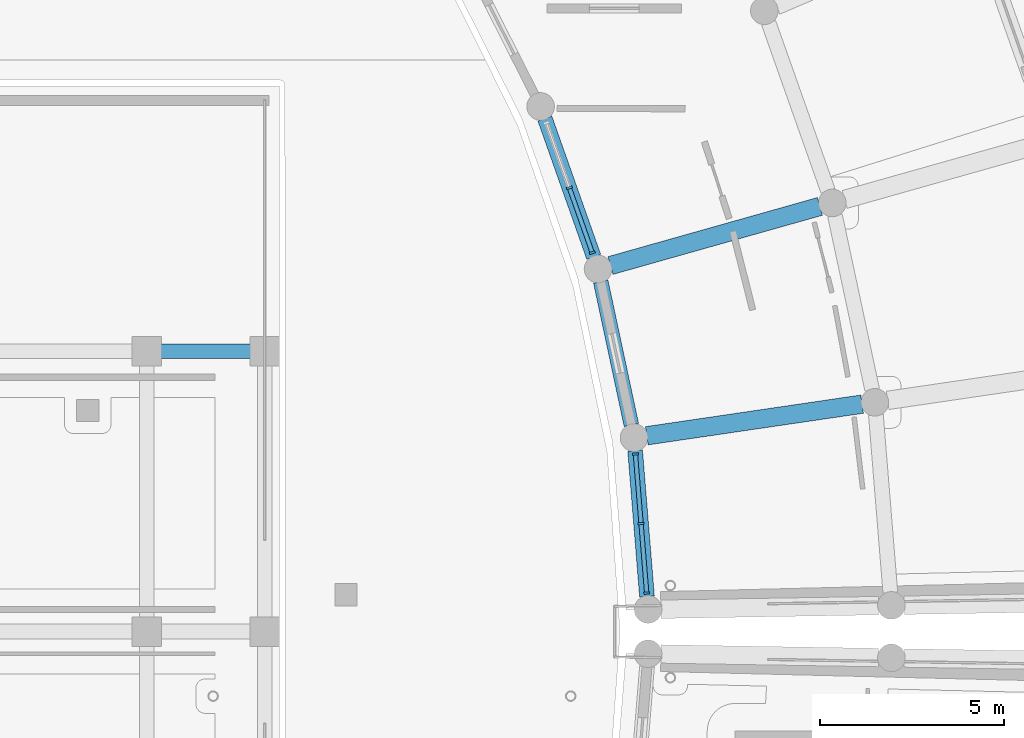
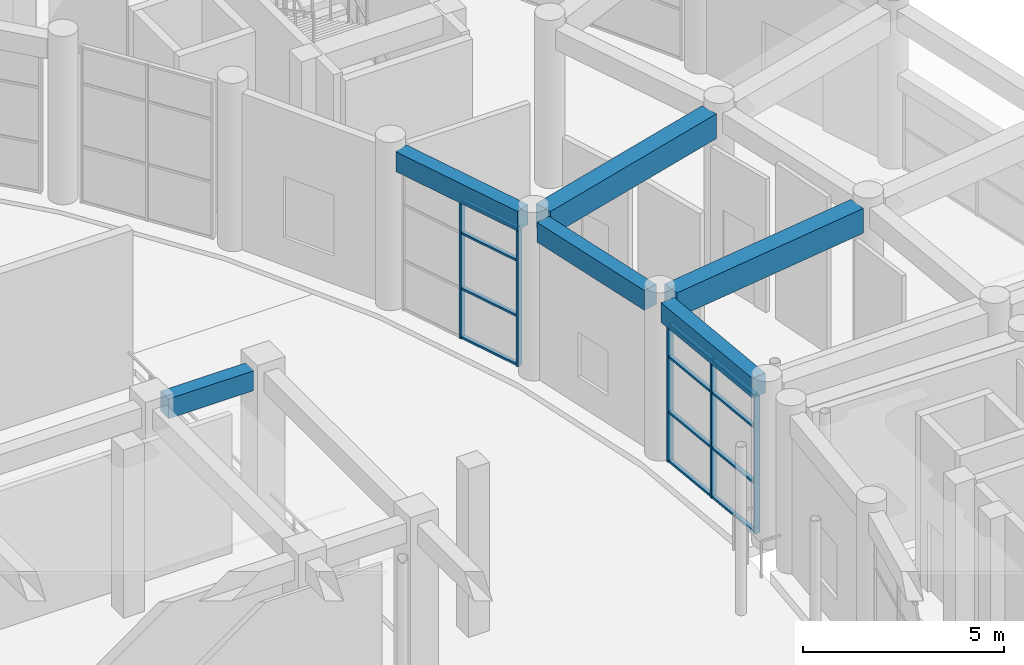
# One storey, part 44 of 99: 17 members, 6 beams, 2 elements without a shape of their own.
"""IFC4 building model written with IfcOpenShell, lengths in metres."""

from ifc_helpers import new_model, si_unit, direction, frame, origin, origin_2d, place, context, subcontext, project, spatial, rectangle, extrude, material, material_profile, profile_set, type_object, element, aggregate, save


model = new_model("IFC4")

# Units and contexts
model_context = context("Model", 3, precision=1e-05, world=origin(), true_north=direction((0.0, 1.0)))
body_context = subcontext(model_context, "Body", "Model", "MODEL_VIEW")
ifc_project = project(units=[si_unit("LENGTHUNIT", "METRE"), si_unit("AREAUNIT", "SQUARE_METRE"), si_unit("VOLUMEUNIT", "CUBIC_METRE"), si_unit("PLANEANGLEUNIT", "RADIAN"), si_unit("MASSUNIT", "GRAM", prefix="KILO")], contexts=[model_context])

# Site, building, storey
site_placement = place(None, origin())
site = spatial("IfcSite", under=ifc_project, at=site_placement, CompositionType="ELEMENT")
building_placement = place(site_placement, origin())
building = spatial("IfcBuilding", under=site, at=building_placement, Name="Saryqyr Civic Hall", CompositionType="ELEMENT")
storey_placement = place(building_placement, origin())
storey = spatial("IfcBuildingStorey", under=building, at=storey_placement, Name="L00", CompositionType="ELEMENT", Elevation=0.0)

# Curtain wall, members
ifc_material_1 = material(Name="Anodised aluminium and triple low-E glass", Category="aluminium")
curtain_wall_type = type_object("IfcCurtainWallType", Name="ENV-CW-STD-07", PredefinedType="NOTDEFINED", material=ifc_material_1)
curtain_wall_1_placement = place(storey_placement, origin())
curtain_wall_1 = element("IfcCurtainWall", 1, at=curtain_wall_1_placement, inside=storey, type_object=curtain_wall_type, Name="Curtain wall V6-CWI-L00-00", PredefinedType="NOTDEFINED")
ifc_material_2 = material(Name="Anodised aluminium", Category="aluminium")
ifc_material_profile_1 = material_profile(ifc_material_2, rectangle(XDim=0.06005859375, YDim=0.159912109375, at=origin_2d()), Name="ALU MULLION 60x160")
ifc_profile_set_1 = profile_set([ifc_material_profile_1], Name="Anodised aluminium")
member_type_1 = type_object("IfcMemberType", Name="ENV-CW-MUL-180", PredefinedType="MULLION", material=ifc_profile_set_1)
member_1_placement = place(storey_placement, frame((93.15869140625, 85.045166015625, 0.0), z_axis=(0.0, 0.0, 1.0), x_axis=(-0.081091878651, 0.996706630467, 0.0)))
member_1 = element("IfcMember", 2, at=member_1_placement, type_object=member_type_1, Name="CW-07 mullion 1", PredefinedType="MULLION", context=body_context, shape_type="SweptSolid", body=[
    extrude(rectangle(XDim=0.06005859375, YDim=0.159912109375, at=origin_2d()), origin(), (0.0, 0.0, 1.0), 4.195068359375),
])
member_2_placement = place(storey_placement, frame((93.00537109375, 86.93017578125, 0.0), z_axis=(0.0, 0.0, 1.0), x_axis=(-0.081091878651, 0.996706630467, 0.0)))
member_2 = element("IfcMember", 3, at=member_2_placement, type_object=member_type_1, Name="CW-07 mullion 2", PredefinedType="MULLION", context=body_context, shape_type="SweptSolid", body=[
    extrude(rectangle(XDim=0.06005859375, YDim=0.159912109375, at=origin_2d()), origin(), (0.0, 0.0, 1.0), 4.195068359375),
])
member_3_placement = place(storey_placement, frame((92.85205078125, 88.815185546875, 0.0), z_axis=(0.0, 0.0, 1.0), x_axis=(-0.081091878651, 0.996706630467, 0.0)))
member_3 = element("IfcMember", 4, at=member_3_placement, type_object=member_type_1, Name="CW-07 mullion 3", PredefinedType="MULLION", context=body_context, shape_type="SweptSolid", body=[
    extrude(rectangle(XDim=0.06005859375, YDim=0.159912109375, at=origin_2d()), origin(), (0.0, 0.0, 1.0), 4.195068359375),
])

curtain_wall_2_placement = place(storey_placement, origin())
curtain_wall_2 = element("IfcCurtainWall", 5, at=curtain_wall_2_placement, inside=storey, type_object=curtain_wall_type, Name="Curtain wall V6-CWI-L00-02", PredefinedType="NOTDEFINED")
member_4_placement = place(storey_placement, frame((91.6826171875, 94.275390625, 0.0), z_axis=(0.0, 0.0, 1.0), x_axis=(-0.333172944954, 0.942865732091, 0.0)))
member_4 = element("IfcMember", 6, at=member_4_placement, type_object=member_type_1, Name="CW-07 mullion 1", PredefinedType="MULLION", context=body_context, shape_type="SweptSolid", body=[
    extrude(rectangle(XDim=0.06005859375, YDim=0.159912109375, at=origin_2d()), origin(), (0.0, 0.0, 1.0), 4.195068359375),
])
member_5_placement = place(storey_placement, frame((91.060302734375, 96.036376953125, 0.0), z_axis=(0.0, 0.0, 1.0), x_axis=(-0.333172944954, 0.942865732091, 0.0)))
member_5 = element("IfcMember", 7, at=member_5_placement, type_object=member_type_1, Name="CW-07 mullion 2", PredefinedType="MULLION", context=body_context, shape_type="SweptSolid", body=[
    extrude(rectangle(XDim=0.06005859375, YDim=0.159912109375, at=origin_2d()), origin(), (0.0, 0.0, 1.0), 4.195068359375),
])

# Member
ifc_material_profile_2 = material_profile(ifc_material_2, rectangle(XDim=0.1201171875, YDim=0.06005859375, at=origin_2d()), Name="ALU TRANSOM 120x60")
ifc_profile_set_2 = profile_set([ifc_material_profile_2], Name="Anodised aluminium")
member_type_2 = type_object("IfcMemberType", Name="ENV-CW-TRN-150", PredefinedType="USERDEFINED", material=ifc_profile_set_2)
member_6_placement = place(storey_placement, frame((93.15625, 85.074951171875, 0.030029296875), z_axis=(-0.081059288806, 0.996709281435, 0.0), x_axis=(-0.996709281435, -0.081059288806, 0.0)))
member_6 = element("IfcMember", 8, at=member_6_placement, type_object=member_type_2, Name="CW-07 transom 1.1", ObjectType="TRANSOM", PredefinedType="USERDEFINED", context=body_context, shape_type="SweptSolid", body=[
    extrude(rectangle(XDim=0.1201171875, YDim=0.06005859375, at=origin_2d()), origin(), (0.0, 0.0, 1.0), 1.831298828125),
])

member_7_placement = place(storey_placement, frame((93.15625, 85.074951171875, 1.510009765625), z_axis=(-0.081059288806, 0.996709281435, 0.0), x_axis=(-0.996709281435, -0.081059288806, 0.0)))
member_7 = element("IfcMember", 9, at=member_7_placement, type_object=member_type_2, Name="CW-07 transom 1.2", ObjectType="TRANSOM", PredefinedType="USERDEFINED", context=body_context, shape_type="SweptSolid", body=[
    extrude(rectangle(XDim=0.1201171875, YDim=0.06005859375, at=origin_2d()), origin(), (0.0, 0.0, 1.0), 1.831298828125),
])

member_8_placement = place(storey_placement, frame((93.15625, 85.074951171875, 3.18798828125), z_axis=(-0.081059288806, 0.996709281435, 0.0), x_axis=(-0.996709281435, -0.081059288806, 0.0)))
member_8 = element("IfcMember", 10, at=member_8_placement, type_object=member_type_2, Name="CW-07 transom 1.3", ObjectType="TRANSOM", PredefinedType="USERDEFINED", context=body_context, shape_type="SweptSolid", body=[
    extrude(rectangle(XDim=0.1201171875, YDim=0.06005859375, at=origin_2d()), origin(), (0.0, 0.0, 1.0), 1.831298828125),
])

member_9_placement = place(storey_placement, frame((93.15625, 85.074951171875, 4.1650390625), z_axis=(-0.081059288806, 0.996709281435, 0.0), x_axis=(-0.996709281435, -0.081059288806, 0.0)))
member_9 = element("IfcMember", 11, at=member_9_placement, type_object=member_type_2, Name="CW-07 transom 1.4", ObjectType="TRANSOM", PredefinedType="USERDEFINED", context=body_context, shape_type="SweptSolid", body=[
    extrude(rectangle(XDim=0.1201171875, YDim=0.06005859375, at=origin_2d()), origin(), (0.0, 0.0, 1.0), 1.831298828125),
])

member_10_placement = place(storey_placement, frame((93.0029296875, 86.9599609375, 0.030029296875), z_axis=(-0.081048518873, 0.996710157262, 0.0), x_axis=(-0.996710157262, -0.081048518873, 0.0)))
member_10 = element("IfcMember", 12, at=member_10_placement, type_object=member_type_2, Name="CW-07 transom 2.1", ObjectType="TRANSOM", PredefinedType="USERDEFINED", context=body_context, shape_type="SweptSolid", body=[
    extrude(rectangle(XDim=0.1201171875, YDim=0.06005859375, at=origin_2d()), origin(), (0.0, 0.0, 1.0), 1.83154296875),
])

member_11_placement = place(storey_placement, frame((93.0029296875, 86.9599609375, 1.510009765625), z_axis=(-0.081048518873, 0.996710157262, 0.0), x_axis=(-0.996710157262, -0.081048518873, 0.0)))
member_11 = element("IfcMember", 13, at=member_11_placement, type_object=member_type_2, Name="CW-07 transom 2.2", ObjectType="TRANSOM", PredefinedType="USERDEFINED", context=body_context, shape_type="SweptSolid", body=[
    extrude(rectangle(XDim=0.1201171875, YDim=0.06005859375, at=origin_2d()), origin(), (0.0, 0.0, 1.0), 1.83154296875),
])

member_12_placement = place(storey_placement, frame((93.0029296875, 86.9599609375, 3.18798828125), z_axis=(-0.081048518873, 0.996710157262, 0.0), x_axis=(-0.996710157262, -0.081048518873, 0.0)))
member_12 = element("IfcMember", 14, at=member_12_placement, type_object=member_type_2, Name="CW-07 transom 2.3", ObjectType="TRANSOM", PredefinedType="USERDEFINED", context=body_context, shape_type="SweptSolid", body=[
    extrude(rectangle(XDim=0.1201171875, YDim=0.06005859375, at=origin_2d()), origin(), (0.0, 0.0, 1.0), 1.83154296875),
])

member_13_placement = place(storey_placement, frame((93.0029296875, 86.9599609375, 4.1650390625), z_axis=(-0.081048518873, 0.996710157262, 0.0), x_axis=(-0.996710157262, -0.081048518873, 0.0)))
member_13 = element("IfcMember", 15, at=member_13_placement, type_object=member_type_2, Name="CW-07 transom 2.4", ObjectType="TRANSOM", PredefinedType="USERDEFINED", context=body_context, shape_type="SweptSolid", body=[
    extrude(rectangle(XDim=0.1201171875, YDim=0.06005859375, at=origin_2d()), origin(), (0.0, 0.0, 1.0), 1.83154296875),
])

aggregate(curtain_wall_1, [member_1, member_2, member_3, member_6, member_7, member_8, member_9, member_10, member_11, member_12, member_13])

member_14_placement = place(storey_placement, frame((91.672607421875, 94.3037109375, 0.030029296875), z_axis=(-0.333194521062, 0.942858107635, 0.0), x_axis=(-0.942858107635, -0.333194521062, 0.0)))
member_14 = element("IfcMember", 16, at=member_14_placement, type_object=member_type_2, Name="CW-07 transom 1.1", ObjectType="TRANSOM", PredefinedType="USERDEFINED", context=body_context, shape_type="SweptSolid", body=[
    extrude(rectangle(XDim=0.1201171875, YDim=0.06005859375, at=origin_2d()), origin(), (0.0, 0.0, 1.0), 1.8076171875),
])

member_15_placement = place(storey_placement, frame((91.672607421875, 94.3037109375, 1.510009765625), z_axis=(-0.333194521062, 0.942858107635, 0.0), x_axis=(-0.942858107635, -0.333194521062, 0.0)))
member_15 = element("IfcMember", 17, at=member_15_placement, type_object=member_type_2, Name="CW-07 transom 1.2", ObjectType="TRANSOM", PredefinedType="USERDEFINED", context=body_context, shape_type="SweptSolid", body=[
    extrude(rectangle(XDim=0.1201171875, YDim=0.06005859375, at=origin_2d()), origin(), (0.0, 0.0, 1.0), 1.8076171875),
])

member_16_placement = place(storey_placement, frame((91.672607421875, 94.3037109375, 3.18798828125), z_axis=(-0.333194521062, 0.942858107635, 0.0), x_axis=(-0.942858107635, -0.333194521062, 0.0)))
member_16 = element("IfcMember", 18, at=member_16_placement, type_object=member_type_2, Name="CW-07 transom 1.3", ObjectType="TRANSOM", PredefinedType="USERDEFINED", context=body_context, shape_type="SweptSolid", body=[
    extrude(rectangle(XDim=0.1201171875, YDim=0.06005859375, at=origin_2d()), origin(), (0.0, 0.0, 1.0), 1.8076171875),
])

member_17_placement = place(storey_placement, frame((91.672607421875, 94.3037109375, 4.1650390625), z_axis=(-0.333194521062, 0.942858107635, 0.0), x_axis=(-0.942858107635, -0.333194521062, 0.0)))
member_17 = element("IfcMember", 19, at=member_17_placement, type_object=member_type_2, Name="CW-07 transom 1.4", ObjectType="TRANSOM", PredefinedType="USERDEFINED", context=body_context, shape_type="SweptSolid", body=[
    extrude(rectangle(XDim=0.1201171875, YDim=0.06005859375, at=origin_2d()), origin(), (0.0, 0.0, 1.0), 1.8076171875),
])

aggregate(curtain_wall_2, [member_4, member_5, member_14, member_15, member_16, member_17])

# Beams
ifc_material_3 = material(Name="Concrete C35/45", Category="concrete")
ifc_material_profile_3 = material_profile(ifc_material_3, rectangle(XDim=0.39990234375, YDim=0.60009765625, at=origin_2d()), Name="RC 400x600")
ifc_profile_set_3 = profile_set([ifc_material_profile_3], Name="Concrete C35/45")
beam_type_1 = type_object("IfcBeamType", Name="STR-BM-RC400x600", PredefinedType="BEAM", material=ifc_profile_set_3)
beam_1_placement = place(storey_placement, frame((79.97509765625, 91.60009765625, 4.52001953125), z_axis=(1.0, 0.0, 0.0), x_axis=(0.0, 1.0, 0.0)))
element("IfcBeam", 20, at=beam_1_placement, inside=storey, type_object=beam_type_1, Name="Beam V1-TBM-06-L00", PredefinedType="BEAM", context=body_context, shape_type="SweptSolid", body=[
    extrude(rectangle(XDim=0.39990234375, YDim=0.60009765625, at=origin_2d()), origin(), (0.0, 0.0, 1.0), 2.449951171875),
])
ifc_material_profile_4 = material_profile(ifc_material_3, rectangle(XDim=0.39990234375, YDim=0.60009765625, at=origin_2d()), Name="RC 400x600")
ifc_profile_set_4 = profile_set([ifc_material_profile_4], Name="Concrete C35/45")
beam_type_2 = type_object("IfcBeamType", Name="STR-BM-RC400x600-EXT", PredefinedType="BEAM", material=ifc_profile_set_4)
beam_2_placement = place(storey_placement, frame((93.16650390625, 84.948974609375, 4.52001953125), z_axis=(-0.081063205852, 0.996708962866, 0.0), x_axis=(-0.996708962866, -0.081063205852, 0.0)))
element("IfcBeam", 21, at=beam_2_placement, inside=storey, type_object=beam_type_2, Name="Beam V6-CBM-IN00-L00", PredefinedType="BEAM", context=body_context, shape_type="SweptSolid", body=[
    extrude(rectangle(XDim=0.39990234375, YDim=0.60009765625, at=origin_2d()), origin(), (0.0, 0.0, 1.0), 3.9755859375),
])
beam_3_placement = place(storey_placement, frame((92.74267578125, 89.602294921875, 4.52001953125), z_axis=(-0.208866376941, 0.97794418889, 0.0), x_axis=(-0.97794418889, -0.208866376941, 0.0)))
element("IfcBeam", 22, at=beam_3_placement, inside=storey, type_object=beam_type_2, Name="Beam V6-CBM-IN01-L00", PredefinedType="BEAM", context=body_context, shape_type="SweptSolid", body=[
    extrude(rectangle(XDim=0.39990234375, YDim=0.60009765625, at=origin_2d()), origin(), (0.0, 0.0, 1.0), 3.975341796875),
])
beam_4_placement = place(storey_placement, frame((91.72265625, 94.162109375, 4.52001953125), z_axis=(-0.333218412018, 0.942849664524, 0.0), x_axis=(-0.942849664524, -0.333218412018, 0.0)))
element("IfcBeam", 23, at=beam_4_placement, inside=storey, type_object=beam_type_2, Name="Beam V6-CBM-IN02-L00", PredefinedType="BEAM", context=body_context, shape_type="SweptSolid", body=[
    extrude(rectangle(XDim=0.39990234375, YDim=0.60009765625, at=origin_2d()), origin(), (0.0, 0.0, 1.0), 3.9755859375),
])
ifc_material_4 = material(Name="Concrete C40/50", Category="concrete")
ifc_material_profile_5 = material_profile(ifc_material_4, rectangle(XDim=0.5, YDim=0.75, at=origin_2d()), Name="RC 500x750")
ifc_profile_set_5 = profile_set([ifc_material_profile_5], Name="Concrete C40/50")
beam_type_3 = type_object("IfcBeamType", Name="STR-BM-RC500x750", PredefinedType="BEAM", material=ifc_profile_set_5)
beam_5_placement = place(storey_placement, frame((93.162109375, 89.31103515625, 4.445068359375), z_axis=(0.989389946497, 0.145284320458, 0.0), x_axis=(-0.145284320458, 0.989389946497, 0.0)))
element("IfcBeam", 24, at=beam_5_placement, inside=storey, type_object=beam_type_3, Name="Beam V6-RBM-A01-L00", PredefinedType="BEAM", context=body_context, shape_type="SweptSolid", body=[
    extrude(rectangle(XDim=0.5, YDim=0.75, at=origin_2d()), origin(), (0.0, 0.0, 1.0), 5.89990234375),
])
beam_6_placement = place(storey_placement, frame((92.176025390625, 93.92724609375, 4.445068359375), z_axis=(0.962405864629, 0.271615448251, 0.0), x_axis=(-0.271615448251, 0.962405864629, 0.0)))
element("IfcBeam", 25, at=beam_6_placement, inside=storey, type_object=beam_type_3, Name="Beam V6-RBM-A02-L00", PredefinedType="BEAM", context=body_context, shape_type="SweptSolid", body=[
    extrude(rectangle(XDim=0.5, YDim=0.75, at=origin_2d()), origin(), (0.0, 0.0, 1.0), 5.900146484375),
])

save(model, "model.ifc")
